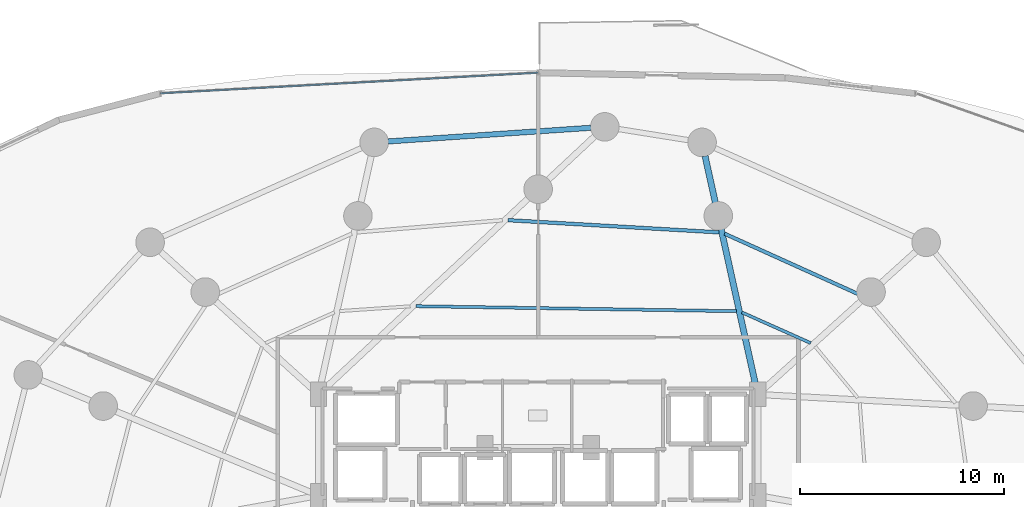
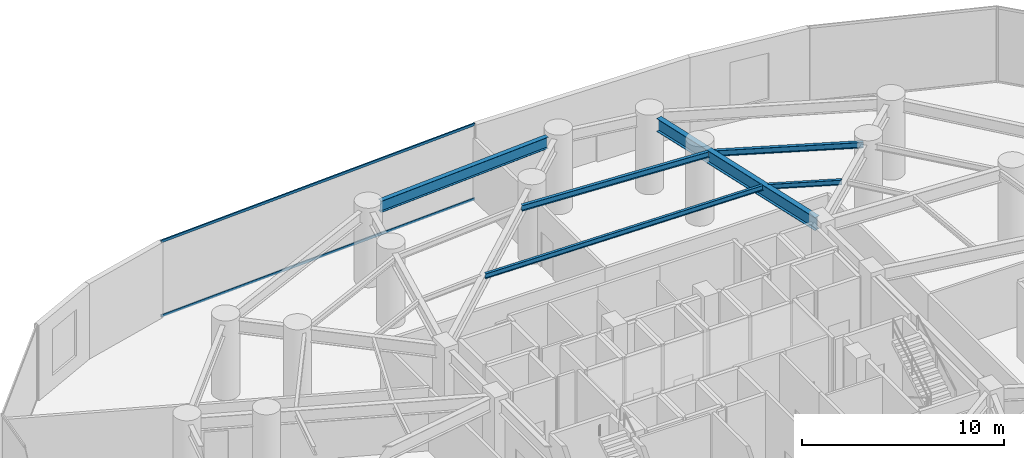
# One storey, part 18 of 32: 6 beams, 2 members, 1 element without a shape of its own.
"""IFC4 building model written with IfcOpenShell, lengths in metres."""

from ifc_helpers import new_model, si_unit, direction, frame, origin, origin_2d, place, context, subcontext, project, spatial, hollow_rectangle, i_section, extrude, material, material_profile, profile_set, type_object, element, aggregate, save


model = new_model("IFC4")

# Units and contexts
model_context = context("Model", 3, precision=1e-05, world=origin(), true_north=direction((0.0, 1.0)))
body_context = subcontext(model_context, "Body", "Model", "MODEL_VIEW")
ifc_project = project(units=[si_unit("LENGTHUNIT", "METRE"), si_unit("AREAUNIT", "SQUARE_METRE"), si_unit("VOLUMEUNIT", "CUBIC_METRE"), si_unit("PLANEANGLEUNIT", "RADIAN"), si_unit("MASSUNIT", "GRAM", prefix="KILO")], contexts=[model_context])

# Site, building, storey
site_placement = place(None, origin())
site = spatial("IfcSite", under=ifc_project, at=site_placement, CompositionType="ELEMENT")
building_placement = place(site_placement, origin())
building = spatial("IfcBuilding", under=site, at=building_placement, Name="Vorneva Point Tower", CompositionType="ELEMENT")
storey_placement = place(building_placement, frame((0.0, 0.0, 19.199951171875)))
storey = spatial("IfcBuildingStorey", under=building, at=storey_placement, Name="L04", CompositionType="ELEMENT", Elevation=19.199951171875)

# Beams
ifc_material_1 = material(Name="Steel S355", Category="steel")
ifc_material_profile_1 = material_profile(ifc_material_1, i_section(OverallWidth=0.300048828125, OverallDepth=0.7880859375, WebThickness=0.014404296875, FlangeThickness=0.02197265625, at=origin_2d()), Name="80Sh1")
ifc_profile_set_1 = profile_set([ifc_material_profile_1], Name="Steel S355")
beam_type_1 = type_object("IfcBeamType", Name="BM-GRD-80Sh1", PredefinedType="USERDEFINED", material=ifc_profile_set_1)
beam_1_placement = place(storey_placement, frame((46.174560546875, 44.81982421875, 4.14599609375), z_axis=(0.215507553279, -0.97650217331, 0.0), x_axis=(0.97650217331, 0.215507553279, 0.0)))
element("IfcBeam", 1, at=beam_1_placement, inside=storey, type_object=beam_type_1, Name="L04 Radial Primary Girder 04", ObjectType="GIRDER", PredefinedType="USERDEFINED", context=body_context, shape_type="SweptSolid", body=[
    extrude(i_section(OverallWidth=0.300048828125, OverallDepth=0.7880859375, WebThickness=0.014404296875, FlangeThickness=0.02197265625, at=origin_2d()), origin(), (0.0, 0.0, 1.0), 11.610595703125),
])
ifc_material_profile_2 = material_profile(ifc_material_1, i_section(OverallWidth=0.14892578125, OverallDepth=0.298095703125, WebThickness=0.005615234375, FlangeThickness=0.008056640625, at=origin_2d()), Name="30B1")
ifc_profile_set_2 = profile_set([ifc_material_profile_2], Name="Steel S355")
beam_type_2 = type_object("IfcBeamType", Name="BM-JST-30B1", PredefinedType="JOIST", material=ifc_profile_set_2)
beam_2_placement = place(storey_placement, frame((51.34619140625, 35.6650390625, 4.39111328125), z_axis=(-0.91332783327, 0.407225083921, 0.0), x_axis=(-0.407225083921, -0.91332783327, 0.0)))
element("IfcBeam", 2, at=beam_2_placement, inside=storey, type_object=beam_type_2, Name="L04 Secondary Floor Beam 2.03", PredefinedType="JOIST", context=body_context, shape_type="SweptSolid", body=[
    extrude(i_section(OverallWidth=0.14892578125, OverallDepth=0.298095703125, WebThickness=0.005615234375, FlangeThickness=0.008056640625, at=origin_2d()), origin(), (0.0, 0.0, 1.0), 3.68896484375),
])
beam_3_placement = place(storey_placement, frame((47.712890625, 37.2255859375, 4.39111328125), z_axis=(-0.999876677329, 0.015704462236, 0.0), x_axis=(-0.015704462236, -0.999876677329, 0.0)))
element("IfcBeam", 3, at=beam_3_placement, inside=storey, type_object=beam_type_2, Name="L04 Secondary Floor Beam 2.04", PredefinedType="JOIST", context=body_context, shape_type="SweptSolid", body=[
    extrude(i_section(OverallWidth=0.14892578125, OverallDepth=0.298095703125, WebThickness=0.005615234375, FlangeThickness=0.008056640625, at=origin_2d()), origin(), (0.0, 0.0, 1.0), 15.701416015625),
])
ifc_material_profile_3 = material_profile(ifc_material_1, i_section(OverallWidth=0.174072265625, OverallDepth=0.345947265625, WebThickness=0.006103515625, FlangeThickness=0.009033203125, at=origin_2d()), Name="35B1")
ifc_profile_set_3 = profile_set([ifc_material_profile_3], Name="Steel S355")
beam_type_3 = type_object("IfcBeamType", Name="BM-SEC-35B1", PredefinedType="BEAM", material=ifc_profile_set_3)
beam_4_placement = place(storey_placement, frame((53.89111328125, 37.96435546875, 4.366943359375), z_axis=(-0.911274275525, 0.411799945078, 0.0), x_axis=(-0.411799945078, -0.911274275525, 0.0)))
element("IfcBeam", 4, at=beam_4_placement, inside=storey, type_object=beam_type_3, Name="L04 Secondary Floor Beam 1.03", PredefinedType="BEAM", context=body_context, shape_type="SweptSolid", body=[
    extrude(i_section(OverallWidth=0.174072265625, OverallDepth=0.345947265625, WebThickness=0.006103515625, FlangeThickness=0.009033203125, at=origin_2d()), origin(), (0.0, 0.0, 1.0), 7.423828125),
])
beam_5_placement = place(storey_placement, frame((46.862548828125, 41.086181640625, 4.366943359375), z_axis=(-0.998340306598, 0.057590209422, 0.0), x_axis=(-0.057590209422, -0.998340306598, 0.0)))
element("IfcBeam", 5, at=beam_5_placement, inside=storey, type_object=beam_type_3, Name="L04 Secondary Floor Beam 1.04", PredefinedType="BEAM", context=body_context, shape_type="SweptSolid", body=[
    extrude(i_section(OverallWidth=0.174072265625, OverallDepth=0.345947265625, WebThickness=0.006103515625, FlangeThickness=0.009033203125, at=origin_2d()), origin(), (0.0, 0.0, 1.0), 10.3564453125),
])
ifc_material_profile_4 = material_profile(ifc_material_1, i_section(OverallWidth=0.260009765625, OverallDepth=0.69091796875, WebThickness=0.011962890625, FlangeThickness=0.015380859375, at=origin_2d()), Name="70B1")
ifc_profile_set_4 = profile_set([ifc_material_profile_4], Name="Steel S355")
beam_type_4 = type_object("IfcBeamType", Name="BM-SPN-70B1", PredefinedType="SPANDREL", material=ifc_profile_set_4)
beam_6_placement = place(storey_placement, frame((40.581787109375, 46.206298828125, 4.194580078125), z_axis=(-0.997737774229, -0.067225991085, 0.0), x_axis=(0.067225991085, -0.997737774229, 0.0)))
element("IfcBeam", 6, at=beam_6_placement, inside=storey, type_object=beam_type_4, Name="L04 Perimeter Spandrel Ring Beam 05", PredefinedType="SPANDREL", context=body_context, shape_type="SweptSolid", body=[
    extrude(i_section(OverallWidth=0.260009765625, OverallDepth=0.69091796875, WebThickness=0.011962890625, FlangeThickness=0.015380859375, at=origin_2d()), origin(), (0.0, 0.0, 1.0), 9.947021484375),
])

# Curtain wall, members
ifc_material_2 = material(Name="Pale anodised aluminium", Category="aluminium")
curtain_wall_type = type_object("IfcCurtainWallType", Name="CW-POD-SYS", PredefinedType="NOTDEFINED", material=ifc_material_2)
curtain_wall_placement = place(storey_placement, origin())
curtain_wall = element("IfcCurtainWall", 7, at=curtain_wall_placement, inside=storey, type_object=curtain_wall_type, Name="L04 Unitised Curtain Wall CW-L04-R02", PredefinedType="NOTDEFINED")
ifc_material_profile_5 = material_profile(ifc_material_2, hollow_rectangle(XDim=0.074951171875, YDim=0.14990234375, WallThickness=0.00390625, at=origin_2d()), Name="AL-TRN 150x75x4")
ifc_profile_set_5 = profile_set([ifc_material_profile_5], Name="Pale anodised aluminium")
member_type = type_object("IfcMemberType", Name="CW-TRN-150", PredefinedType="USERDEFINED", material=ifc_profile_set_5)
member_1_placement = place(storey_placement, frame((38.0, 48.9013671875, 0.02001953125), z_axis=(-0.998514494786, -0.054486729604, 0.0), x_axis=(0.054486729604, -0.998514494786, 0.0)))
member_1 = element("IfcMember", 8, at=member_1_placement, type_object=member_type, Name="CW-L04-R02 Transom 01.1", ObjectType="TRANSOM", PredefinedType="USERDEFINED", context=body_context, shape_type="SweptSolid", body=[
    extrude(hollow_rectangle(XDim=0.074951171875, YDim=0.14990234375, WallThickness=0.00390625, at=origin_2d()), origin(), (0.0, 0.0, 1.0), 18.510009765625),
])
member_2_placement = place(storey_placement, frame((38.0, 48.9013671875, 4.52001953125), z_axis=(-0.998514494786, -0.054486729604, 0.0), x_axis=(0.054486729604, -0.998514494786, 0.0)))
member_2 = element("IfcMember", 9, at=member_2_placement, type_object=member_type, Name="CW-L04-R02 Transom 01.2", ObjectType="TRANSOM", PredefinedType="USERDEFINED", context=body_context, shape_type="SweptSolid", body=[
    extrude(hollow_rectangle(XDim=0.074951171875, YDim=0.14990234375, WallThickness=0.00390625, at=origin_2d()), origin(), (0.0, 0.0, 1.0), 18.510009765625),
])
aggregate(curtain_wall, [member_1, member_2])

save(model, "model.ifc")
